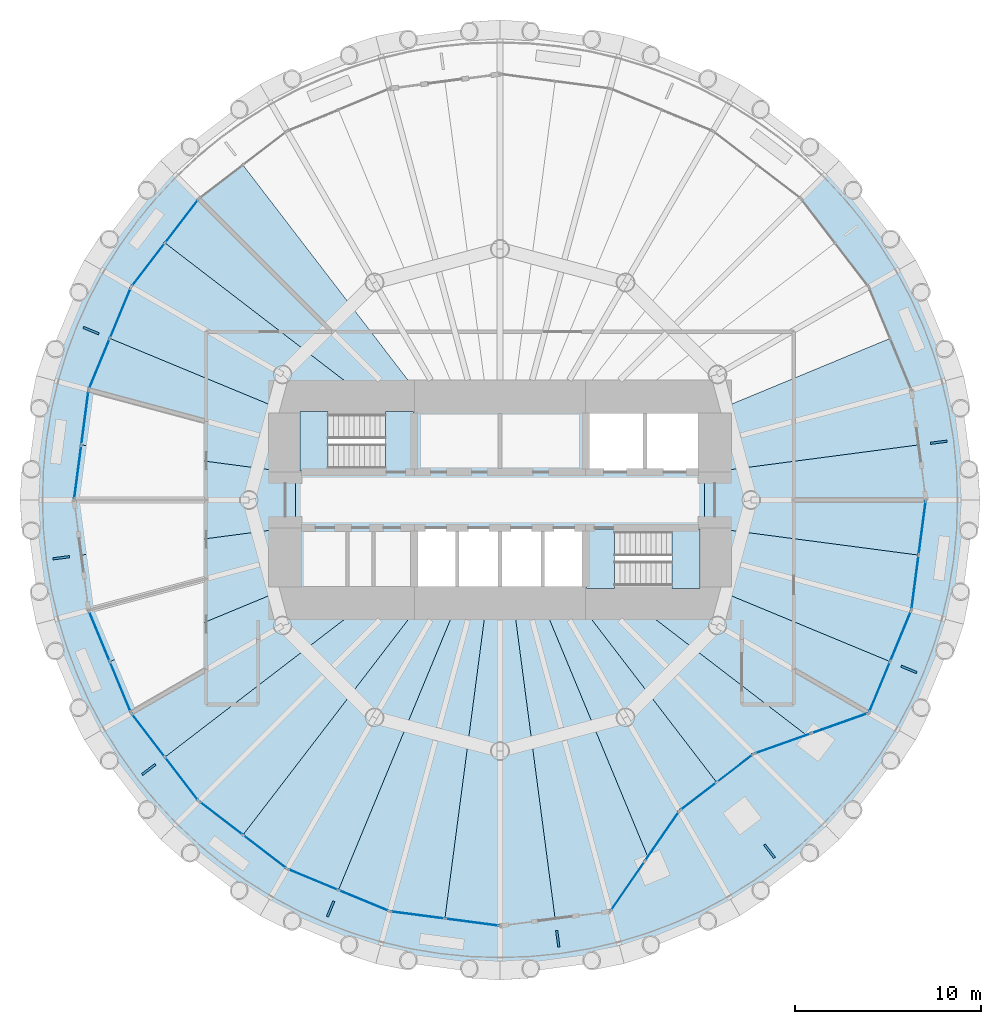
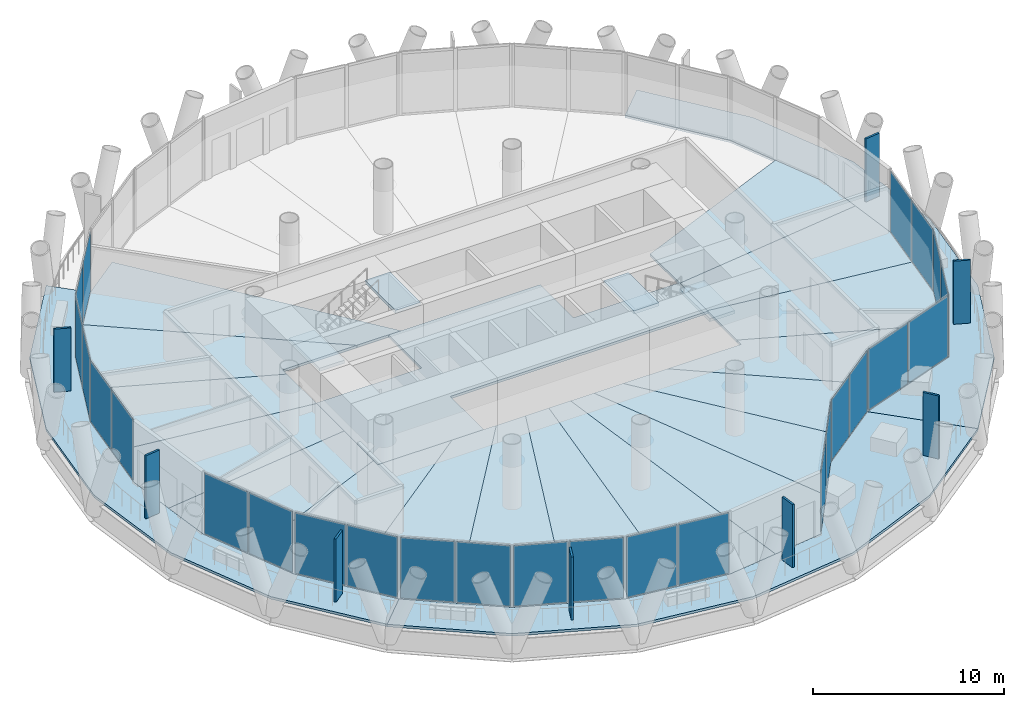
# One storey, part 8 of 15: 34 plates, 25 slabs, 15 elements without a shape of their own.
"""IFC4 building model written with IfcOpenShell, lengths in metres."""

from ifc_helpers import new_model, si_unit, direction, frame, origin, origin_2d, place, context, subcontext, project, spatial, polyline, rectangle, outline, extrude, material, layer, layer_set, type_object, element, aggregate, save


model = new_model("IFC4")

# Units and contexts
model_context = context("Model", 3, precision=1e-05, world=origin(), true_north=direction((0.0, 1.0)))
body_context = subcontext(model_context, "Body", "Model", "MODEL_VIEW")
ifc_project = project(units=[si_unit("LENGTHUNIT", "METRE"), si_unit("AREAUNIT", "SQUARE_METRE"), si_unit("VOLUMEUNIT", "CUBIC_METRE"), si_unit("PLANEANGLEUNIT", "RADIAN"), si_unit("MASSUNIT", "GRAM", prefix="KILO")], contexts=[model_context])

# Site, building, storey
site_placement = place(None, origin())
site = spatial("IfcSite", under=ifc_project, at=site_placement, CompositionType="ELEMENT")
building_placement = place(site_placement, origin())
building = spatial("IfcBuilding", under=site, at=building_placement, Name="Qaws Media Tower", CompositionType="ELEMENT")
storey_placement = place(building_placement, frame((0.0, 0.0, 110.0)))
storey = spatial("IfcBuildingStorey", under=building, at=storey_placement, Name="L24", CompositionType="ELEMENT", Elevation=110.0)

# Slabs
ifc_material_1 = material(Name="Concrete C35/45", Category="concrete")
ifc_layer_1 = layer(ifc_material_1, 0.159912109375)
ifc_layer_set_1 = layer_set([ifc_layer_1], Name="Composite balcony slab 160")
slab_type_1 = type_object("IfcSlabType", Name="Composite balcony slab 160", PredefinedType="FLOOR", material=ifc_layer_set_1)
slab_1_placement = place(storey_placement, frame((0.0, 0.0, -0.159912109375)))
element("IfcSlab", 1, at=slab_1_placement, inside=storey, type_object=slab_type_1, Name="S2 balcony slab L24 R10 to R16, movement joints on R10 and R16", PredefinedType="FLOOR", context=body_context, shape_type="SweptSolid", body=[
    extrude(outline(polyline([(38.089599609375, 37.35009765625), (35.56201171875, 43.451904296875), (34.699951171875, 50.0), (35.56201171875, 56.548095703125), (38.089599609375, 62.64990234375), (42.110107421875, 67.889892578125), (43.807373046875, 66.192626953125), (40.16796875, 61.449951171875), (37.88037109375, 55.927001953125), (37.10009765625, 50.0), (37.88037109375, 44.072998046875), (40.16796875, 38.550048828125), (43.807373046875, 33.807373046875), (42.110107421875, 32.110107421875), (38.089599609375, 37.35009765625)])), origin(), (0.0, 0.0, 1.0), 0.159912109375),
])
slab_2_placement = place(storey_placement, frame((0.0, 0.0, -0.159912109375)))
element("IfcSlab", 2, at=slab_2_placement, inside=storey, type_object=slab_type_1, Name="S2 balcony slab L24 R16 to R22, movement joints on R16 and R22", PredefinedType="FLOOR", context=body_context, shape_type="SweptSolid", body=[
    extrude(outline(polyline([(72.64990234375, 28.089599609375), (66.548095703125, 25.56201171875), (60.0, 24.699951171875), (53.451904296875, 25.56201171875), (47.35009765625, 28.089599609375), (42.110107421875, 32.110107421875), (43.807373046875, 33.807373046875), (48.550048828125, 30.16796875), (54.072998046875, 27.88037109375), (60.0, 27.10009765625), (65.927001953125, 27.88037109375), (69.64990234375, 33.28564453125), (73.647216796875, 36.352783203125), (77.889892578125, 32.110107421875), (72.64990234375, 28.089599609375)])), origin(), (0.0, 0.0, 1.0), 0.159912109375),
])
slab_3_placement = place(storey_placement, frame((0.0, 0.0, -0.159912109375)))
element("IfcSlab", 3, at=slab_3_placement, inside=storey, type_object=slab_type_1, Name="S2 balcony slab L24 R22 to R04, movement joints on R22 and R04", PredefinedType="FLOOR", context=body_context, shape_type="SweptSolid", body=[
    extrude(outline(polyline([(81.910400390625, 37.35009765625), (77.889892578125, 32.110107421875), (73.647216796875, 36.352783203125), (79.83203125, 38.550048828125), (82.11962890625, 44.072998046875), (82.89990234375, 50.0), (82.11962890625, 55.927001953125), (79.83203125, 61.449951171875), (76.192626953125, 66.192626953125), (77.889892578125, 67.889892578125), (81.910400390625, 62.64990234375), (84.43798828125, 56.548095703125), (85.300048828125, 50.0), (84.43798828125, 43.451904296875), (81.910400390625, 37.35009765625)])), origin(), (0.0, 0.0, 1.0), 0.159912109375),
])
ifc_material_2 = material(Name="Concrete C35/45", Category="concrete")
ifc_layer_2 = layer(ifc_material_2, 0.159912109375)
ifc_layer_set_2 = layer_set([ifc_layer_2], Name="Composite floor slab 160")
slab_type_2 = type_object("IfcSlabType", Name="Composite floor slab 160", PredefinedType="FLOOR", material=ifc_layer_set_2)
slab_4_placement = place(storey_placement, frame((0.0, 0.0, -0.159912109375)))
element("IfcSlab", 4, at=slab_4_placement, inside=storey, type_object=slab_type_2, Name="S1 core floor slab L24", PredefinedType="FLOOR", context=body_context, shape_type="SweptSolid", body=[
    extrude(outline(polyline([(71.0, 51.5), (71.0, 48.5), (55.39990234375, 48.5), (55.39990234375, 45.0), (49.0, 45.0), (49.0, 51.5), (55.39990234375, 51.5), (55.39990234375, 55.0), (64.60009765625, 55.0), (64.60009765625, 51.5), (71.0, 51.5)])), origin(), (0.0, 0.0, 1.0), 0.159912109375),
])
slab_5_placement = place(storey_placement, frame((0.0, 0.0, -0.159912109375)))
element("IfcSlab", 5, at=slab_5_placement, inside=storey, type_object=slab_type_2, Name="S1 floor panel L24 on R01", PredefinedType="FLOOR", context=body_context, shape_type="SweptSolid", body=[
    extrude(outline(polyline([(82.89990234375, 50.0), (82.510009765625, 47.03662109375), (71.0, 48.5517578125), (71.0, 51.4482421875), (82.510009765625, 52.96337890625), (82.89990234375, 50.0)])), origin(), (0.0, 0.0, 1.0), 0.159912109375),
])
slab_6_placement = place(storey_placement, frame((0.0, 0.0, -0.159912109375)))
element("IfcSlab", 6, at=slab_6_placement, inside=storey, type_object=slab_type_2, Name="S1 floor panel L24 on R02", PredefinedType="FLOOR", context=body_context, shape_type="SweptSolid", body=[
    extrude(outline(polyline([(82.11962890625, 55.927001953125), (82.510009765625, 52.96337890625), (71.0, 51.4482421875), (71.0, 54.556396484375), (80.975830078125, 58.6884765625), (82.11962890625, 55.927001953125)])), origin(), (0.0, 0.0, 1.0), 0.159912109375),
])
slab_7_placement = place(storey_placement, frame((0.0, 0.0, -0.159912109375)))
element("IfcSlab", 7, at=slab_7_placement, inside=storey, type_object=slab_type_2, Name="S1 floor panel L24 on R10", PredefinedType="FLOOR", context=body_context, shape_type="SweptSolid", body=[
    extrude(outline(polyline([(43.807373046875, 66.192626953125), (46.1787109375, 68.012451171875), (56.163330078125, 55.0), (53.48388671875, 55.0), (41.987548828125, 63.8212890625), (43.807373046875, 66.192626953125)])), origin(), (0.0, 0.0, 1.0), 0.159912109375),
])
slab_8_placement = place(storey_placement, frame((0.0, 0.0, -0.159912109375)))
element("IfcSlab", 8, at=slab_8_placement, inside=storey, type_object=slab_type_2, Name="S1 floor panel L24 on R11", PredefinedType="FLOOR", context=body_context, shape_type="SweptSolid", body=[
    extrude(outline(polyline([(40.16796875, 61.449951171875), (41.987548828125, 63.8212890625), (53.48388671875, 55.0), (49.0, 55.0), (49.0, 54.556396484375), (39.024169921875, 58.6884765625), (40.16796875, 61.449951171875)])), origin(), (0.0, 0.0, 1.0), 0.159912109375),
])
slab_9_placement = place(storey_placement, frame((0.0, 0.0, -0.159912109375)))
element("IfcSlab", 9, at=slab_9_placement, inside=storey, type_object=slab_type_2, Name="S1 floor panel L24 on R12", PredefinedType="FLOOR", context=body_context, shape_type="SweptSolid", body=[
    extrude(outline(polyline([(37.88037109375, 55.927001953125), (39.024169921875, 58.6884765625), (49.0, 54.556396484375), (49.0, 51.4482421875), (37.489990234375, 52.96337890625), (37.88037109375, 55.927001953125)])), origin(), (0.0, 0.0, 1.0), 0.159912109375),
])
slab_10_placement = place(storey_placement, frame((0.0, 0.0, -0.159912109375)))
element("IfcSlab", 10, at=slab_10_placement, inside=storey, type_object=slab_type_2, Name="S1 floor panel L24 on R13", PredefinedType="FLOOR", context=body_context, shape_type="SweptSolid", body=[
    extrude(outline(polyline([(37.10009765625, 50.0), (37.489990234375, 52.96337890625), (49.0, 51.4482421875), (49.0, 48.5517578125), (37.489990234375, 47.03662109375), (37.10009765625, 50.0)])), origin(), (0.0, 0.0, 1.0), 0.159912109375),
])
slab_11_placement = place(storey_placement, frame((0.0, 0.0, -0.159912109375)))
element("IfcSlab", 11, at=slab_11_placement, inside=storey, type_object=slab_type_2, Name="S1 floor panel L24 on R14", PredefinedType="FLOOR", context=body_context, shape_type="SweptSolid", body=[
    extrude(outline(polyline([(37.88037109375, 44.072998046875), (37.489990234375, 47.03662109375), (49.0, 48.5517578125), (49.0, 45.443603515625), (39.024169921875, 41.3115234375), (37.88037109375, 44.072998046875)])), origin(), (0.0, 0.0, 1.0), 0.159912109375),
])
slab_12_placement = place(storey_placement, frame((0.0, 0.0, -0.159912109375)))
element("IfcSlab", 12, at=slab_12_placement, inside=storey, type_object=slab_type_2, Name="S1 floor panel L24 on R15", PredefinedType="FLOOR", context=body_context, shape_type="SweptSolid", body=[
    extrude(outline(polyline([(40.16796875, 38.550048828125), (39.024169921875, 41.3115234375), (49.0, 45.443603515625), (49.0, 45.0), (53.48388671875, 45.0), (41.987548828125, 36.1787109375), (40.16796875, 38.550048828125)])), origin(), (0.0, 0.0, 1.0), 0.159912109375),
])
slab_13_placement = place(storey_placement, frame((0.0, 0.0, -0.159912109375)))
element("IfcSlab", 13, at=slab_13_placement, inside=storey, type_object=slab_type_2, Name="S1 floor panel L24 on R16", PredefinedType="FLOOR", context=body_context, shape_type="SweptSolid", body=[
    extrude(outline(polyline([(43.807373046875, 33.807373046875), (41.987548828125, 36.1787109375), (53.48388671875, 45.0), (56.163330078125, 45.0), (46.1787109375, 31.987548828125), (43.807373046875, 33.807373046875)])), origin(), (0.0, 0.0, 1.0), 0.159912109375),
])
slab_14_placement = place(storey_placement, frame((0.0, 0.0, -0.159912109375)))
element("IfcSlab", 14, at=slab_14_placement, inside=storey, type_object=slab_type_2, Name="S1 floor panel L24 on R17", PredefinedType="FLOOR", context=body_context, shape_type="SweptSolid", body=[
    extrude(outline(polyline([(48.550048828125, 30.16796875), (46.1787109375, 31.987548828125), (56.163330078125, 45.0), (57.928955078125, 45.0), (51.3115234375, 29.024169921875), (48.550048828125, 30.16796875)])), origin(), (0.0, 0.0, 1.0), 0.159912109375),
])
slab_15_placement = place(storey_placement, frame((0.0, 0.0, -0.159912109375)))
element("IfcSlab", 15, at=slab_15_placement, inside=storey, type_object=slab_type_2, Name="S1 floor panel L24 on R18", PredefinedType="FLOOR", context=body_context, shape_type="SweptSolid", body=[
    extrude(outline(polyline([(54.072998046875, 27.88037109375), (51.3115234375, 29.024169921875), (57.928955078125, 45.0), (59.341796875, 45.0), (57.03662109375, 27.489990234375), (54.072998046875, 27.88037109375)])), origin(), (0.0, 0.0, 1.0), 0.159912109375),
])
slab_16_placement = place(storey_placement, frame((0.0, 0.0, -0.159912109375)))
element("IfcSlab", 16, at=slab_16_placement, inside=storey, type_object=slab_type_2, Name="S1 floor panel L24 on R19", PredefinedType="FLOOR", context=body_context, shape_type="SweptSolid", body=[
    extrude(outline(polyline([(60.0, 27.10009765625), (57.03662109375, 27.489990234375), (59.341796875, 45.0), (60.658203125, 45.0), (62.96337890625, 27.489990234375), (60.0, 27.10009765625)])), origin(), (0.0, 0.0, 1.0), 0.159912109375),
])
slab_17_placement = place(storey_placement, frame((0.0, 0.0, -0.159912109375)))
element("IfcSlab", 17, at=slab_17_placement, inside=storey, type_object=slab_type_2, Name="S1 floor panel L24 on R20", PredefinedType="FLOOR", context=body_context, shape_type="SweptSolid", body=[
    extrude(outline(polyline([(65.927001953125, 27.88037109375), (62.96337890625, 27.489990234375), (60.658203125, 45.0), (62.071044921875, 45.0), (67.947265625, 30.813720703125), (65.927001953125, 27.88037109375)])), origin(), (0.0, 0.0, 1.0), 0.159912109375),
])
slab_18_placement = place(storey_placement, frame((0.0, 0.0, -0.159912109375)))
element("IfcSlab", 18, at=slab_18_placement, inside=storey, type_object=slab_type_2, Name="S1 floor panel L24 on R21", PredefinedType="FLOOR", context=body_context, shape_type="SweptSolid", body=[
    extrude(outline(polyline([(69.64990234375, 33.28564453125), (67.947265625, 30.813720703125), (62.071044921875, 45.0), (63.836669921875, 45.0), (71.648681640625, 34.8193359375), (69.64990234375, 33.28564453125)])), origin(), (0.0, 0.0, 1.0), 0.159912109375),
])
slab_19_placement = place(storey_placement, frame((0.0, 0.0, -0.159912109375)))
element("IfcSlab", 19, at=slab_19_placement, inside=storey, type_object=slab_type_2, Name="S1 floor panel L24 on R22", PredefinedType="FLOOR", context=body_context, shape_type="SweptSolid", body=[
    extrude(outline(polyline([(73.647216796875, 36.352783203125), (71.648681640625, 34.8193359375), (63.836669921875, 45.0), (66.51611328125, 45.0), (76.475830078125, 37.357666015625), (73.647216796875, 36.352783203125)])), origin(), (0.0, 0.0, 1.0), 0.159912109375),
])
slab_20_placement = place(storey_placement, frame((0.0, 0.0, -0.159912109375)))
element("IfcSlab", 20, at=slab_20_placement, inside=storey, type_object=slab_type_2, Name="S1 floor panel L24 on R23", PredefinedType="FLOOR", context=body_context, shape_type="SweptSolid", body=[
    extrude(outline(polyline([(79.83203125, 38.550048828125), (76.475830078125, 37.357666015625), (66.51611328125, 45.0), (71.0, 45.0), (71.0, 45.443603515625), (80.975830078125, 41.3115234375), (79.83203125, 38.550048828125)])), origin(), (0.0, 0.0, 1.0), 0.159912109375),
])
slab_21_placement = place(storey_placement, frame((0.0, 0.0, -0.159912109375)))
element("IfcSlab", 21, at=slab_21_placement, inside=storey, type_object=slab_type_2, Name="S1 floor panel L24 on R24", PredefinedType="FLOOR", context=body_context, shape_type="SweptSolid", body=[
    extrude(outline(polyline([(80.975830078125, 41.3115234375), (71.0, 45.443603515625), (71.0, 48.5517578125), (82.510009765625, 47.03662109375), (82.11962890625, 44.072998046875), (80.975830078125, 41.3115234375)])), origin(), (0.0, 0.0, 1.0), 0.159912109375),
])

# Curtain wall, plates
ifc_material_3 = material(Name="Aluminium and clear glass", Category="aluminium")
curtain_wall_type_1 = type_object("IfcCurtainWallType", Name="Unitised curtain wall CW-B", PredefinedType="NOTDEFINED", material=ifc_material_3)
curtain_wall_1_placement = place(storey_placement, origin())
curtain_wall_1 = element("IfcCurtainWall", 22, at=curtain_wall_1_placement, inside=storey, type_object=curtain_wall_type_1, Name="CWB curtain wall L24-10", PredefinedType="NOTDEFINED")
ifc_material_4 = material(Name="Clear laminated double glazing", Category="glass")
ifc_layer_3 = layer(ifc_material_4, 0.031982421875)
ifc_layer_set_3 = layer_set([ifc_layer_3], Name="Curtain wall glass unit 32")
plate_type_1 = type_object("IfcPlateType", Name="Curtain wall glass unit 32", PredefinedType="CURTAIN_PANEL", material=ifc_layer_set_3)
plate_1_placement = place(storey_placement, frame((42.88525390625, 64.9912109375, 0.080078125), z_axis=(0.0, 0.0, 1.0), x_axis=(-0.608761509485, -0.793353278539, 0.0)))
plate_1 = element("IfcPlate", 23, at=plate_1_placement, type_object=plate_type_1, Name="CWB panel 1.1", PredefinedType="CURTAIN_PANEL", context=body_context, shape_type="SweptSolid", body=[
    extrude(rectangle(XDim=2.869140625, YDim=0.031982421875, at=origin_2d()), origin(), (0.0, 0.0, 1.0), 3.8798828125),
])
plate_2_placement = place(storey_placement, frame((41.090087890625, 62.651611328125, 0.080078125), z_axis=(0.0, 0.0, 1.0), x_axis=(-0.608761509485, -0.793353278539, 0.0)))
plate_2 = element("IfcPlate", 24, at=plate_2_placement, type_object=plate_type_1, Name="CWB panel 2.1", PredefinedType="CURTAIN_PANEL", context=body_context, shape_type="SweptSolid", body=[
    extrude(rectangle(XDim=2.869140625, YDim=0.031982421875, at=origin_2d()), origin(), (0.0, 0.0, 1.0), 3.8798828125),
])
aggregate(curtain_wall_1, [plate_1, plate_2])

curtain_wall_2_placement = place(storey_placement, origin())
curtain_wall_2 = element("IfcCurtainWall", 25, at=curtain_wall_2_placement, inside=storey, type_object=curtain_wall_type_1, Name="CWB curtain wall L24-11", PredefinedType="NOTDEFINED")
plate_3_placement = place(storey_placement, frame((39.58837890625, 60.05078125, 0.080078125), z_axis=(0.0, 0.0, 1.0), x_axis=(-0.382683328086, -0.923879575705, 0.0)))
plate_3 = element("IfcPlate", 26, at=plate_3_placement, type_object=plate_type_1, Name="CWB panel 1.1", PredefinedType="CURTAIN_PANEL", context=body_context, shape_type="SweptSolid", body=[
    extrude(rectangle(XDim=2.869140625, YDim=0.031982421875, at=origin_2d()), origin(), (0.0, 0.0, 1.0), 3.8798828125),
])
plate_4_placement = place(storey_placement, frame((38.4599609375, 57.326171875, 0.080078125), z_axis=(0.0, 0.0, 1.0), x_axis=(-0.382683328086, -0.923879575705, 0.0)))
plate_4 = element("IfcPlate", 27, at=plate_4_placement, type_object=plate_type_1, Name="CWB panel 2.1", PredefinedType="CURTAIN_PANEL", context=body_context, shape_type="SweptSolid", body=[
    extrude(rectangle(XDim=2.869140625, YDim=0.031982421875, at=origin_2d()), origin(), (0.0, 0.0, 1.0), 3.8798828125),
])
aggregate(curtain_wall_2, [plate_3, plate_4])

curtain_wall_3_placement = place(storey_placement, origin())
curtain_wall_3 = element("IfcCurtainWall", 28, at=curtain_wall_3_placement, inside=storey, type_object=curtain_wall_type_1, Name="CWB curtain wall L24-12", PredefinedType="NOTDEFINED")
plate_5_placement = place(storey_placement, frame((37.6826171875, 54.42529296875, 0.080078125), z_axis=(0.0, 0.0, 1.0), x_axis=(-0.130526264481, -0.99144485186, 0.0)))
plate_5 = element("IfcPlate", 29, at=plate_5_placement, type_object=plate_type_1, Name="CWB panel 1.1", PredefinedType="CURTAIN_PANEL", context=body_context, shape_type="SweptSolid", body=[
    extrude(rectangle(XDim=2.869140625, YDim=0.031982421875, at=origin_2d()), origin(), (0.0, 0.0, 1.0), 3.8798828125),
])
plate_6_placement = place(storey_placement, frame((37.297607421875, 51.50146484375, 0.080078125), z_axis=(0.0, 0.0, 1.0), x_axis=(-0.130526264481, -0.99144485186, 0.0)))
plate_6 = element("IfcPlate", 30, at=plate_6_placement, type_object=plate_type_1, Name="CWB panel 2.1", PredefinedType="CURTAIN_PANEL", context=body_context, shape_type="SweptSolid", body=[
    extrude(rectangle(XDim=2.869140625, YDim=0.031982421875, at=origin_2d()), origin(), (0.0, 0.0, 1.0), 3.8798828125),
])
aggregate(curtain_wall_3, [plate_5, plate_6])

curtain_wall_4_placement = place(storey_placement, origin())
curtain_wall_4 = element("IfcCurtainWall", 31, at=curtain_wall_4_placement, inside=storey, type_object=curtain_wall_type_1, Name="CWB curtain wall L24-14", PredefinedType="NOTDEFINED")
plate_7_placement = place(storey_placement, frame((38.4599609375, 42.673828125, 0.080078125), z_axis=(0.0, 0.0, 1.0), x_axis=(0.382683328086, -0.923879575705, 0.0)))
plate_7 = element("IfcPlate", 32, at=plate_7_placement, type_object=plate_type_1, Name="CWB panel 1.1", PredefinedType="CURTAIN_PANEL", context=body_context, shape_type="SweptSolid", body=[
    extrude(rectangle(XDim=2.869140625, YDim=0.031982421875, at=origin_2d()), origin(), (0.0, 0.0, 1.0), 3.8798828125),
])
plate_8_placement = place(storey_placement, frame((39.58837890625, 39.94921875, 0.080078125), z_axis=(0.0, 0.0, 1.0), x_axis=(0.382683328086, -0.923879575705, 0.0)))
plate_8 = element("IfcPlate", 33, at=plate_8_placement, type_object=plate_type_1, Name="CWB panel 2.1", PredefinedType="CURTAIN_PANEL", context=body_context, shape_type="SweptSolid", body=[
    extrude(rectangle(XDim=2.869140625, YDim=0.031982421875, at=origin_2d()), origin(), (0.0, 0.0, 1.0), 3.8798828125),
])
aggregate(curtain_wall_4, [plate_7, plate_8])

curtain_wall_5_placement = place(storey_placement, origin())
curtain_wall_5 = element("IfcCurtainWall", 34, at=curtain_wall_5_placement, inside=storey, type_object=curtain_wall_type_1, Name="CWB curtain wall L24-15", PredefinedType="NOTDEFINED")
plate_9_placement = place(storey_placement, frame((41.090087890625, 37.348388671875, 0.080078125), z_axis=(0.0, 0.0, 1.0), x_axis=(0.608761509485, -0.793353278539, 0.0)))
plate_9 = element("IfcPlate", 35, at=plate_9_placement, type_object=plate_type_1, Name="CWB panel 1.1", PredefinedType="CURTAIN_PANEL", context=body_context, shape_type="SweptSolid", body=[
    extrude(rectangle(XDim=2.869140625, YDim=0.031982421875, at=origin_2d()), origin(), (0.0, 0.0, 1.0), 3.8798828125),
])
plate_10_placement = place(storey_placement, frame((42.88525390625, 35.0087890625, 0.080078125), z_axis=(0.0, 0.0, 1.0), x_axis=(0.608761509485, -0.793353278539, 0.0)))
plate_10 = element("IfcPlate", 36, at=plate_10_placement, type_object=plate_type_1, Name="CWB panel 2.1", PredefinedType="CURTAIN_PANEL", context=body_context, shape_type="SweptSolid", body=[
    extrude(rectangle(XDim=2.869140625, YDim=0.031982421875, at=origin_2d()), origin(), (0.0, 0.0, 1.0), 3.8798828125),
])
aggregate(curtain_wall_5, [plate_9, plate_10])

curtain_wall_6_placement = place(storey_placement, origin())
curtain_wall_6 = element("IfcCurtainWall", 37, at=curtain_wall_6_placement, inside=storey, type_object=curtain_wall_type_1, Name="CWB curtain wall L24-16", PredefinedType="NOTDEFINED")
plate_11_placement = place(storey_placement, frame((45.0087890625, 32.88525390625, 0.080078125), z_axis=(0.0, 0.0, 1.0), x_axis=(0.793353278539, -0.608761509485, 0.0)))
plate_11 = element("IfcPlate", 38, at=plate_11_placement, type_object=plate_type_1, Name="CWB panel 1.1", PredefinedType="CURTAIN_PANEL", context=body_context, shape_type="SweptSolid", body=[
    extrude(rectangle(XDim=2.869140625, YDim=0.031982421875, at=origin_2d()), origin(), (0.0, 0.0, 1.0), 3.8798828125),
])
plate_12_placement = place(storey_placement, frame((47.348388671875, 31.090087890625, 0.080078125), z_axis=(0.0, 0.0, 1.0), x_axis=(0.793353278539, -0.608761509485, 0.0)))
plate_12 = element("IfcPlate", 39, at=plate_12_placement, type_object=plate_type_1, Name="CWB panel 2.1", PredefinedType="CURTAIN_PANEL", context=body_context, shape_type="SweptSolid", body=[
    extrude(rectangle(XDim=2.869140625, YDim=0.031982421875, at=origin_2d()), origin(), (0.0, 0.0, 1.0), 3.8798828125),
])
aggregate(curtain_wall_6, [plate_11, plate_12])

curtain_wall_7_placement = place(storey_placement, origin())
curtain_wall_7 = element("IfcCurtainWall", 40, at=curtain_wall_7_placement, inside=storey, type_object=curtain_wall_type_1, Name="CWB curtain wall L24-17", PredefinedType="NOTDEFINED")
plate_13_placement = place(storey_placement, frame((49.94921875, 29.58837890625, 0.080078125), z_axis=(0.0, 0.0, 1.0), x_axis=(0.923879575705, -0.382683328086, 0.0)))
plate_13 = element("IfcPlate", 41, at=plate_13_placement, type_object=plate_type_1, Name="CWB panel 1.1", PredefinedType="CURTAIN_PANEL", context=body_context, shape_type="SweptSolid", body=[
    extrude(rectangle(XDim=2.869140625, YDim=0.031982421875, at=origin_2d()), origin(), (0.0, 0.0, 1.0), 3.8798828125),
])
plate_14_placement = place(storey_placement, frame((52.673828125, 28.4599609375, 0.080078125), z_axis=(0.0, 0.0, 1.0), x_axis=(0.923879575705, -0.382683328086, 0.0)))
plate_14 = element("IfcPlate", 42, at=plate_14_placement, type_object=plate_type_1, Name="CWB panel 2.1", PredefinedType="CURTAIN_PANEL", context=body_context, shape_type="SweptSolid", body=[
    extrude(rectangle(XDim=2.869140625, YDim=0.031982421875, at=origin_2d()), origin(), (0.0, 0.0, 1.0), 3.8798828125),
])
aggregate(curtain_wall_7, [plate_13, plate_14])

curtain_wall_8_placement = place(storey_placement, origin())
curtain_wall_8 = element("IfcCurtainWall", 43, at=curtain_wall_8_placement, inside=storey, type_object=curtain_wall_type_1, Name="CWB curtain wall L24-18", PredefinedType="NOTDEFINED")
plate_15_placement = place(storey_placement, frame((55.57470703125, 27.6826171875, 0.080078125), z_axis=(0.0, 0.0, 1.0), x_axis=(0.99144485186, -0.130526264481, 0.0)))
plate_15 = element("IfcPlate", 44, at=plate_15_placement, type_object=plate_type_1, Name="CWB panel 1.1", PredefinedType="CURTAIN_PANEL", context=body_context, shape_type="SweptSolid", body=[
    extrude(rectangle(XDim=2.869140625, YDim=0.031982421875, at=origin_2d()), origin(), (0.0, 0.0, 1.0), 3.8798828125),
])
plate_16_placement = place(storey_placement, frame((58.49853515625, 27.297607421875, 0.080078125), z_axis=(0.0, 0.0, 1.0), x_axis=(0.99144485186, -0.130526264481, 0.0)))
plate_16 = element("IfcPlate", 45, at=plate_16_placement, type_object=plate_type_1, Name="CWB panel 2.1", PredefinedType="CURTAIN_PANEL", context=body_context, shape_type="SweptSolid", body=[
    extrude(rectangle(XDim=2.869140625, YDim=0.031982421875, at=origin_2d()), origin(), (0.0, 0.0, 1.0), 3.8798828125),
])
aggregate(curtain_wall_8, [plate_15, plate_16])

ifc_material_5 = material(Name="Aluminium and clear glass", Category="aluminium")
curtain_wall_type_2 = type_object("IfcCurtainWallType", Name="Loggia curtain wall CW-G", PredefinedType="NOTDEFINED", material=ifc_material_5)
curtain_wall_9_placement = place(storey_placement, origin())
curtain_wall_9 = element("IfcCurtainWall", 46, at=curtain_wall_9_placement, inside=storey, type_object=curtain_wall_type_2, Name="CWG curtain wall L24-20", PredefinedType="NOTDEFINED")
plate_17_placement = place(storey_placement, frame((66.869140625, 29.248046875, 0.080078125), z_axis=(0.0, 0.0, 1.0), x_axis=(0.567234604406, 0.823556254037, 0.0)))
plate_17 = element("IfcPlate", 47, at=plate_17_placement, type_object=plate_type_1, Name="CWG panel 1.1", PredefinedType="CURTAIN_PANEL", context=body_context, shape_type="SweptSolid", body=[
    extrude(rectangle(XDim=3.161865234375, YDim=0.031982421875, at=origin_2d()), origin(), (0.0, 0.0, 1.0), 3.8798828125),
])
plate_18_placement = place(storey_placement, frame((68.7080078125, 31.91796875, 0.080078125), z_axis=(0.0, 0.0, 1.0), x_axis=(0.567234604406, 0.823556254037, 0.0)))
plate_18 = element("IfcPlate", 48, at=plate_18_placement, type_object=plate_type_1, Name="CWG panel 2.1", PredefinedType="CURTAIN_PANEL", context=body_context, shape_type="SweptSolid", body=[
    extrude(rectangle(XDim=3.161865234375, YDim=0.031982421875, at=origin_2d()), origin(), (0.0, 0.0, 1.0), 3.8798828125),
])
aggregate(curtain_wall_9, [plate_17, plate_18])

curtain_wall_10_placement = place(storey_placement, origin())
curtain_wall_10 = element("IfcCurtainWall", 49, at=curtain_wall_10_placement, inside=storey, type_object=curtain_wall_type_2, Name="CWG curtain wall L24-21", PredefinedType="NOTDEFINED")
plate_19_placement = place(storey_placement, frame((70.6650390625, 34.064697265625, 0.080078125), z_axis=(0.0, 0.0, 1.0), x_axis=(0.79335338924, 0.608761365217, 0.0)))
plate_19 = element("IfcPlate", 50, at=plate_19_placement, type_object=plate_type_1, Name="CWG panel 1.1", PredefinedType="CURTAIN_PANEL", context=body_context, shape_type="SweptSolid", body=[
    extrude(rectangle(XDim=2.399169921875, YDim=0.031982421875, at=origin_2d()), origin(), (0.0, 0.0, 1.0), 3.8798828125),
])
plate_20_placement = place(storey_placement, frame((72.632080078125, 35.573974609375, 0.080078125), z_axis=(0.0, 0.0, 1.0), x_axis=(0.79335338924, 0.608761365217, 0.0)))
plate_20 = element("IfcPlate", 51, at=plate_20_placement, type_object=plate_type_1, Name="CWG panel 2.1", PredefinedType="CURTAIN_PANEL", context=body_context, shape_type="SweptSolid", body=[
    extrude(rectangle(XDim=2.399169921875, YDim=0.031982421875, at=origin_2d()), origin(), (0.0, 0.0, 1.0), 3.8798828125),
])
aggregate(curtain_wall_10, [plate_19, plate_20])

curtain_wall_11_placement = place(storey_placement, origin())
curtain_wall_11 = element("IfcCurtainWall", 52, at=curtain_wall_11_placement, inside=storey, type_object=curtain_wall_type_2, Name="CWG curtain wall L24-22", PredefinedType="NOTDEFINED")
plate_21_placement = place(storey_placement, frame((75.212158203125, 36.908935546875, 0.080078125), z_axis=(0.0, 0.0, 1.0), x_axis=(0.942305379459, 0.334754494882, 0.0)))
plate_21 = element("IfcPlate", 53, at=plate_21_placement, type_object=plate_type_1, Name="CWG panel 1.1", PredefinedType="CURTAIN_PANEL", context=body_context, shape_type="SweptSolid", body=[
    extrude(rectangle(XDim=3.161865234375, YDim=0.031982421875, at=origin_2d()), origin(), (0.0, 0.0, 1.0), 3.8798828125),
])
plate_22_placement = place(storey_placement, frame((78.266845703125, 37.993896484375, 0.080078125), z_axis=(0.0, 0.0, 1.0), x_axis=(0.942305379459, 0.334754494882, 0.0)))
plate_22 = element("IfcPlate", 54, at=plate_22_placement, type_object=plate_type_1, Name="CWG panel 2.1", PredefinedType="CURTAIN_PANEL", context=body_context, shape_type="SweptSolid", body=[
    extrude(rectangle(XDim=3.161865234375, YDim=0.031982421875, at=origin_2d()), origin(), (0.0, 0.0, 1.0), 3.8798828125),
])
aggregate(curtain_wall_11, [plate_21, plate_22])

curtain_wall_12_placement = place(storey_placement, origin())
curtain_wall_12 = element("IfcCurtainWall", 55, at=curtain_wall_12_placement, inside=storey, type_object=curtain_wall_type_1, Name="CWB curtain wall L24-23", PredefinedType="NOTDEFINED")
plate_23_placement = place(storey_placement, frame((80.41162109375, 39.94921875, 0.080078125), z_axis=(0.0, 0.0, 1.0), x_axis=(0.382683328086, 0.923879575705, 0.0)))
plate_23 = element("IfcPlate", 56, at=plate_23_placement, type_object=plate_type_1, Name="CWB panel 1.1", PredefinedType="CURTAIN_PANEL", context=body_context, shape_type="SweptSolid", body=[
    extrude(rectangle(XDim=2.869140625, YDim=0.031982421875, at=origin_2d()), origin(), (0.0, 0.0, 1.0), 3.8798828125),
])
plate_24_placement = place(storey_placement, frame((81.5400390625, 42.673828125, 0.080078125), z_axis=(0.0, 0.0, 1.0), x_axis=(0.382683328086, 0.923879575705, 0.0)))
plate_24 = element("IfcPlate", 57, at=plate_24_placement, type_object=plate_type_1, Name="CWB panel 2.1", PredefinedType="CURTAIN_PANEL", context=body_context, shape_type="SweptSolid", body=[
    extrude(rectangle(XDim=2.869140625, YDim=0.031982421875, at=origin_2d()), origin(), (0.0, 0.0, 1.0), 3.8798828125),
])
aggregate(curtain_wall_12, [plate_23, plate_24])

curtain_wall_13_placement = place(storey_placement, origin())
curtain_wall_13 = element("IfcCurtainWall", 58, at=curtain_wall_13_placement, inside=storey, type_object=curtain_wall_type_1, Name="CWB curtain wall L24-24", PredefinedType="NOTDEFINED")
plate_25_placement = place(storey_placement, frame((82.3173828125, 45.57470703125, 0.080078125), z_axis=(0.0, 0.0, 1.0), x_axis=(0.130526264481, 0.99144485186, 0.0)))
plate_25 = element("IfcPlate", 59, at=plate_25_placement, type_object=plate_type_1, Name="CWB panel 1.1", PredefinedType="CURTAIN_PANEL", context=body_context, shape_type="SweptSolid", body=[
    extrude(rectangle(XDim=2.869140625, YDim=0.031982421875, at=origin_2d()), origin(), (0.0, 0.0, 1.0), 3.8798828125),
])
plate_26_placement = place(storey_placement, frame((82.702392578125, 48.49853515625, 0.080078125), z_axis=(0.0, 0.0, 1.0), x_axis=(0.130526264481, 0.99144485186, 0.0)))
plate_26 = element("IfcPlate", 60, at=plate_26_placement, type_object=plate_type_1, Name="CWB panel 2.1", PredefinedType="CURTAIN_PANEL", context=body_context, shape_type="SweptSolid", body=[
    extrude(rectangle(XDim=2.869140625, YDim=0.031982421875, at=origin_2d()), origin(), (0.0, 0.0, 1.0), 3.8798828125),
])
aggregate(curtain_wall_13, [plate_25, plate_26])

# Plates
ifc_material_6 = material(Name="Precast concrete screen fin", Category="concrete")
ifc_layer_4 = layer(ifc_material_6, 0.1201171875)
ifc_layer_set_4 = layer_set([ifc_layer_4], Name="Screen fin 120x900")
plate_type_2 = type_object("IfcPlateType", Name="Screen fin 120x900", PredefinedType="USERDEFINED", material=ifc_layer_set_4)
for number, where, z_axis, x_axis, name in (
    (61, (83.596435546875, 53.1064453125, 0.0), (0.0, 0.0, 1.0), (0.991444861374, 0.13052619222, 0.0), "SCR1 screen fin L24-01"),
    (62, (38.01171875, 59.10791015625, 0.0), (0.0, 0.0, 1.0), (-0.923879532511, 0.382683432365, 0.0), "SCR1 screen fin L24-06"),
    (63, (36.403564453125, 46.8935546875, 0.0), (0.0, 0.0, 1.0), (-0.991444861374, -0.13052619222, 0.0), "SCR1 screen fin L24-07"),
    (64, (41.1181640625, 35.511474609375, 0.0), (0.0, 0.0, 1.0), (-0.793353340291, -0.608761429009, 0.0), "SCR1 screen fin L24-08"),
    (65, (50.89208984375, 28.01171875, 0.0), (0.0, 0.0, 1.0), (-0.382683432365, -0.923879532511, 0.0), "SCR1 screen fin L24-09"),
    (66, (63.1064453125, 26.403564453125, 0.0), (0.0, 0.0, 1.0), (0.13052619222, -0.991444861374, 0.0), "SCR1 screen fin L24-10"),
    (67, (74.488525390625, 31.1181640625, 0.0), (0.0, 0.0, 1.0), (0.608761429009, -0.793353340291, 0.0), "SCR1 screen fin L24-11"),
    (68, (81.98828125, 40.89208984375, 0.0), (0.0, 0.0, 1.0), (0.923879532511, -0.382683432365, 0.0), "SCR1 screen fin L24-12"),
):
    element("IfcPlate", number, at=place(storey_placement, frame(where, z_axis=z_axis, x_axis=x_axis)), inside=storey, type_object=plate_type_2, Name=name, ObjectType="SCREEN", PredefinedType="USERDEFINED", context=body_context, shape_type="SweptSolid", body=[
        extrude(rectangle(XDim=0.89990234375, YDim=0.1201171875, at=origin_2d()), origin(), (0.0, 0.0, 1.0), 4.0400390625),
    ])

# Stair, slabs
ifc_material_7 = material(Name="Concrete C40/50", Category="concrete")
stair_type = type_object("IfcStairType", Name="Exit stair", PredefinedType="HALF_TURN_STAIR", material=ifc_material_7)
stair_1_placement = place(storey_placement, origin())
stair_1 = element("IfcStair", 69, at=stair_1_placement, inside=storey, type_object=stair_type, Name="S1 exit stair L24", PredefinedType="HALF_TURN_STAIR")
ifc_material_8 = material(Name="Concrete C40/50", Category="concrete")
ifc_layer_5 = layer(ifc_material_8, 0.199951171875)
ifc_layer_set_5 = layer_set([ifc_layer_5], Name="Stair landing 200")
slab_type_3 = type_object("IfcSlabType", Name="Stair landing 200", PredefinedType="LANDING", material=ifc_layer_set_5)
slab_22_placement = place(storey_placement, frame((0.0, 0.0, 1.89990234375)))
slab_22 = element("IfcSlab", 70, at=slab_22_placement, type_object=slab_type_3, Name="S1 landing 1", PredefinedType="LANDING", context=body_context, shape_type="SweptSolid", body=[
    extrude(outline(polyline([(49.25, 51.550048828125), (50.760009765625, 51.550048828125), (50.760009765625, 54.75), (49.25, 54.75), (49.25, 51.550048828125)])), origin(), (0.0, 0.0, 1.0), 0.2001953125),
])
slab_23_placement = place(storey_placement, frame((0.0, 0.0, 4.0)))
slab_23 = element("IfcSlab", 71, at=slab_23_placement, type_object=slab_type_3, Name="S1 landing 2", PredefinedType="LANDING", context=body_context, shape_type="SweptSolid", body=[
    extrude(outline(polyline([(53.840087890625, 51.550048828125), (55.35009765625, 51.550048828125), (55.35009765625, 54.75), (53.840087890625, 54.75), (53.840087890625, 51.550048828125)])), origin(), (0.0, 0.0, 1.0), 0.199951171875),
])
aggregate(stair_1, [slab_22, slab_23])

stair_2_placement = place(storey_placement, origin())
stair_2 = element("IfcStair", 72, at=stair_2_placement, inside=storey, type_object=stair_type, Name="S2 exit stair L24", PredefinedType="HALF_TURN_STAIR")
slab_24_placement = place(storey_placement, frame((0.0, 0.0, 1.89990234375)))
slab_24 = element("IfcSlab", 73, at=slab_24_placement, type_object=slab_type_3, Name="S2 landing 1", PredefinedType="LANDING", context=body_context, shape_type="SweptSolid", body=[
    extrude(outline(polyline([(69.239990234375, 45.25), (70.75, 45.25), (70.75, 48.449951171875), (69.239990234375, 48.449951171875), (69.239990234375, 45.25)])), origin(), (0.0, 0.0, 1.0), 0.2001953125),
])
slab_25_placement = place(storey_placement, frame((0.0, 0.0, 4.0)))
slab_25 = element("IfcSlab", 74, at=slab_25_placement, type_object=slab_type_3, Name="S2 landing 2", PredefinedType="LANDING", context=body_context, shape_type="SweptSolid", body=[
    extrude(outline(polyline([(64.64990234375, 45.25), (66.159912109375, 45.25), (66.159912109375, 48.449951171875), (64.64990234375, 48.449951171875), (64.64990234375, 45.25)])), origin(), (0.0, 0.0, 1.0), 0.199951171875),
])
aggregate(stair_2, [slab_24, slab_25])

save(model, "model.ifc")
